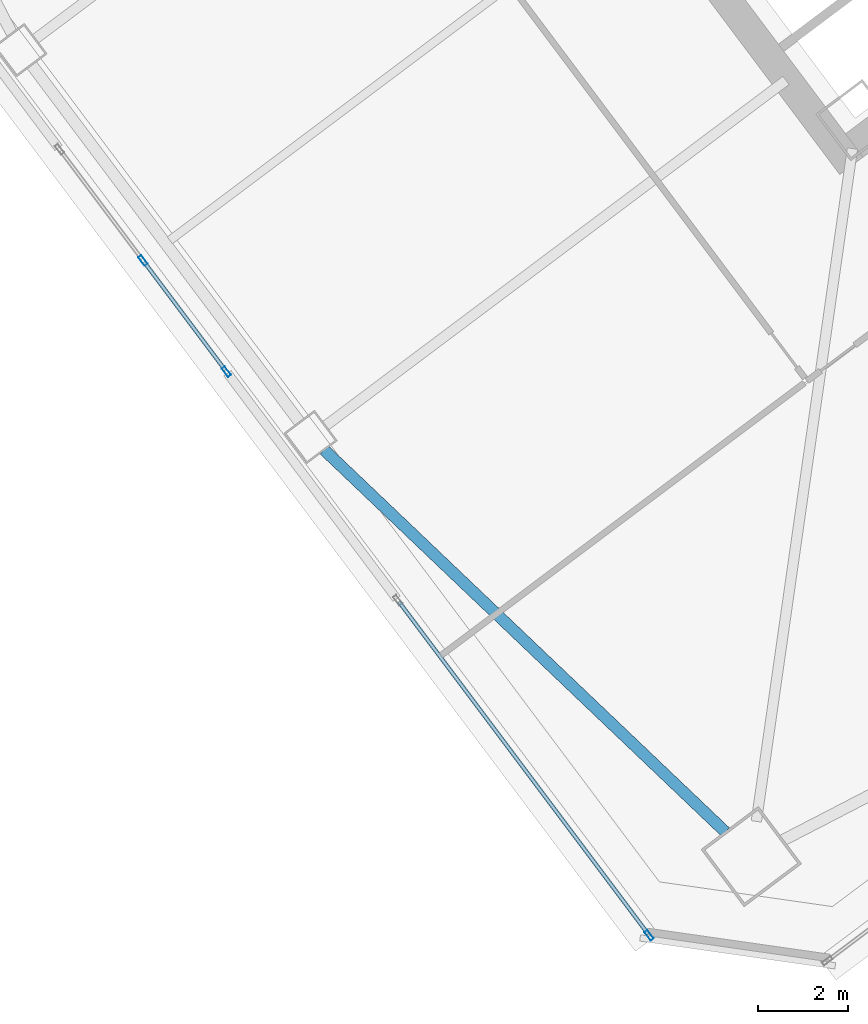
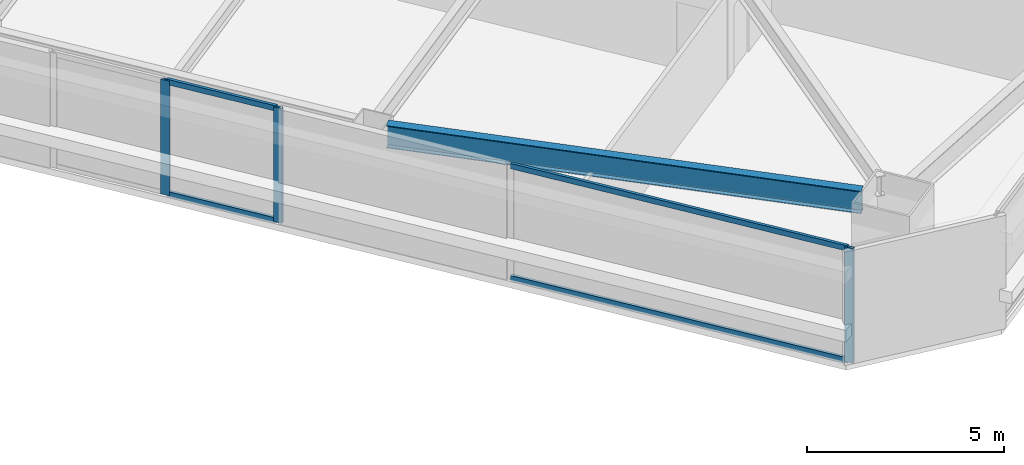
# One storey, part 17 of 46: 7 members, 1 beam, 2 elements without a shape of their own.
"""IFC4 building model written with IfcOpenShell, lengths in metres."""

from ifc_helpers import new_model, si_unit, direction, frame, origin, origin_2d, place, context, subcontext, project, spatial, hollow_rectangle, i_section, extrude, material, material_profile, profile_set, type_object, element, aggregate, save


model = new_model("IFC4")

# Units and contexts
model_context = context("Model", 3, precision=1e-05, world=origin(), true_north=direction((0.0, 1.0)))
body_context = subcontext(model_context, "Body", "Model", "MODEL_VIEW")
ifc_project = project(units=[si_unit("LENGTHUNIT", "METRE"), si_unit("AREAUNIT", "SQUARE_METRE"), si_unit("VOLUMEUNIT", "CUBIC_METRE"), si_unit("PLANEANGLEUNIT", "RADIAN"), si_unit("MASSUNIT", "GRAM", prefix="KILO")], contexts=[model_context])

# Site, building, storey
site_placement = place(None, origin())
site = spatial("IfcSite", under=ifc_project, at=site_placement, CompositionType="ELEMENT")
building_placement = place(site_placement, origin())
building = spatial("IfcBuilding", under=site, at=building_placement, Name="Tashvorn Skyway Center", CompositionType="ELEMENT")
storey_placement = place(building_placement, frame((0.0, 0.0, 38.800048828125)))
storey = spatial("IfcBuildingStorey", under=building, at=storey_placement, Name="L09", CompositionType="ELEMENT", Elevation=38.800048828125)

# Beam
ifc_material_1 = material(Name="Steel ASTM A992 Grade 50", Category="steel")
ifc_material_profile_1 = material_profile(ifc_material_1, i_section(OverallWidth=0.256103515625, OverallDepth=0.693115234375, WebThickness=0.014404296875, FlangeThickness=0.023681640625, at=origin_2d()), Name="W27X114")
ifc_profile_set_1 = profile_set([ifc_material_profile_1], Name="Steel ASTM A992 Grade 50")
beam_type = type_object("IfcBeamType", Name="BM-SPANDREL-W27X114", PredefinedType="SPANDREL", material=ifc_profile_set_1)
beam_placement = place(storey_placement, frame((100.7041015625, 14.76025390625, 3.00341796875), z_axis=(0.724200339835, -0.689589637236, 0.0), x_axis=(0.689589637236, 0.724200339835, 0.0)))
element("IfcBeam", 1, at=beam_placement, inside=storey, type_object=beam_type, Name="Tower 2 L09 Spandrel Beam 12", PredefinedType="SPANDREL", context=body_context, shape_type="SweptSolid", body=[
    extrude(i_section(OverallWidth=0.256103515625, OverallDepth=0.693115234375, WebThickness=0.014404296875, FlangeThickness=0.023681640625, at=origin_2d()), origin(), (0.0, 0.0, 1.0), 12.37255859375),
])

# Curtain wall, member
ifc_material_2 = material(Name="Thermally broken bronze-anodized aluminium 6063-T6", Category="aluminium")
curtain_wall_type = type_object("IfcCurtainWallType", Name="CW-CW-Z1", PredefinedType="NOTDEFINED", material=ifc_material_2)
curtain_wall_1_placement = place(storey_placement, origin())
curtain_wall_1 = element("IfcCurtainWall", 2, at=curtain_wall_1_placement, inside=storey, type_object=curtain_wall_type, Name="Tower 2 L09 West Unitised Curtain Wall Glazing Group 1", PredefinedType="NOTDEFINED")
ifc_material_profile_2 = material_profile(ifc_material_2, hollow_rectangle(XDim=0.0849609375, YDim=0.239990234375, WallThickness=0.0048828125, at=origin_2d()), Name="ALU-MULL-85x240")
ifc_profile_set_2 = profile_set([ifc_material_profile_2], Name="Thermally broken bronze-anodized aluminium 6063-T6")
member_type_1 = type_object("IfcMemberType", Name="CWM-CW-Z1", PredefinedType="MULLION", material=ifc_profile_set_2)
member_1_placement = place(storey_placement, frame((107.95849609375, 3.922119140625, 0.0), z_axis=(0.0, 0.0, 1.0), x_axis=(-0.799999999998, -0.600000000002, 0.0)))
member_1 = element("IfcMember", 3, at=member_1_placement, type_object=member_type_1, Name="CW-Z1 mullion 1", PredefinedType="MULLION", context=body_context, shape_type="SweptSolid", body=[
    extrude(hollow_rectangle(XDim=0.0849609375, YDim=0.239990234375, WallThickness=0.0048828125, at=origin_2d()), origin(), (0.0, 0.0, 1.0), 3.550048828125),
])

# Curtain wall, members
curtain_wall_2_placement = place(storey_placement, origin())
curtain_wall_2 = element("IfcCurtainWall", 4, at=curtain_wall_2_placement, inside=storey, type_object=curtain_wall_type, Name="Tower 2 L09 West Unitised Curtain Wall Glazing Group 2", PredefinedType="NOTDEFINED")
member_2_placement = place(storey_placement, frame((98.5185546875, 16.5087890625, 0.0), z_axis=(0.0, 0.0, 1.0), x_axis=(-0.799996186392, -0.600005084776, 0.0)))
member_2 = element("IfcMember", 5, at=member_2_placement, type_object=member_type_1, Name="CW-Z1 mullion 1", PredefinedType="MULLION", context=body_context, shape_type="SweptSolid", body=[
    extrude(hollow_rectangle(XDim=0.0849609375, YDim=0.239990234375, WallThickness=0.0048828125, at=origin_2d()), origin(), (0.0, 0.0, 1.0), 3.550048828125),
])
member_3_placement = place(storey_placement, frame((96.656005859375, 18.991943359375, 0.0), z_axis=(0.0, 0.0, 1.0), x_axis=(-0.799996186392, -0.600005084776, 0.0)))
member_3 = element("IfcMember", 6, at=member_3_placement, type_object=member_type_1, Name="CW-Z1 mullion 2", PredefinedType="MULLION", context=body_context, shape_type="SweptSolid", body=[
    extrude(hollow_rectangle(XDim=0.0849609375, YDim=0.239990234375, WallThickness=0.0048828125, at=origin_2d()), origin(), (0.0, 0.0, 1.0), 3.550048828125),
])

# Member
ifc_material_profile_3 = material_profile(ifc_material_2, hollow_rectangle(XDim=0.0849609375, YDim=0.1650390625, WallThickness=0.0048828125, at=origin_2d()), Name="ALU-TRAN-85x165")
ifc_profile_set_3 = profile_set([ifc_material_profile_3], Name="Thermally broken bronze-anodized aluminium 6063-T6")
member_type_2 = type_object("IfcMemberType", Name="CWT-CW-Z1", PredefinedType="USERDEFINED", material=ifc_profile_set_3)
member_4_placement = place(storey_placement, frame((107.93310546875, 3.9560546875, 0.04248046875), z_axis=(-0.6, 0.8, 0.0), x_axis=(-0.8, -0.6, 0.0)))
member_4 = element("IfcMember", 7, at=member_4_placement, type_object=member_type_2, Name="CW-Z1 transom 1.1", ObjectType="TRANSOM", PredefinedType="USERDEFINED", context=body_context, shape_type="SweptSolid", body=[
    extrude(hollow_rectangle(XDim=0.0849609375, YDim=0.1650390625, WallThickness=0.0048828125, at=origin_2d()), origin(), (0.0, 0.0, 1.0), 9.27001953125),
])

member_5_placement = place(storey_placement, frame((107.93310546875, 3.9560546875, 3.507568359375), z_axis=(-0.6, 0.8, 0.0), x_axis=(-0.8, -0.6, 0.0)))
member_5 = element("IfcMember", 8, at=member_5_placement, type_object=member_type_2, Name="CW-Z1 transom 1.2", ObjectType="TRANSOM", PredefinedType="USERDEFINED", context=body_context, shape_type="SweptSolid", body=[
    extrude(hollow_rectangle(XDim=0.0849609375, YDim=0.1650390625, WallThickness=0.0048828125, at=origin_2d()), origin(), (0.0, 0.0, 1.0), 9.27001953125),
])

aggregate(curtain_wall_1, [member_1, member_4, member_5])

member_6_placement = place(storey_placement, frame((98.492919921875, 16.542724609375, 0.04248046875), z_axis=(-0.600012938206, 0.799990296182, 0.0), x_axis=(-0.799990296182, -0.600012938206, 0.0)))
member_6 = element("IfcMember", 9, at=member_6_placement, type_object=member_type_2, Name="CW-Z1 transom 1.1", ObjectType="TRANSOM", PredefinedType="USERDEFINED", context=body_context, shape_type="SweptSolid", body=[
    extrude(hollow_rectangle(XDim=0.0849609375, YDim=0.1650390625, WallThickness=0.0048828125, at=origin_2d()), origin(), (0.0, 0.0, 1.0), 3.01904296875),
])

member_7_placement = place(storey_placement, frame((98.492919921875, 16.542724609375, 3.507568359375), z_axis=(-0.600012938206, 0.799990296182, 0.0), x_axis=(-0.799990296182, -0.600012938206, 0.0)))
member_7 = element("IfcMember", 10, at=member_7_placement, type_object=member_type_2, Name="CW-Z1 transom 1.2", ObjectType="TRANSOM", PredefinedType="USERDEFINED", context=body_context, shape_type="SweptSolid", body=[
    extrude(hollow_rectangle(XDim=0.0849609375, YDim=0.1650390625, WallThickness=0.0048828125, at=origin_2d()), origin(), (0.0, 0.0, 1.0), 3.01904296875),
])

aggregate(curtain_wall_2, [member_2, member_3, member_6, member_7])

save(model, "model.ifc")
